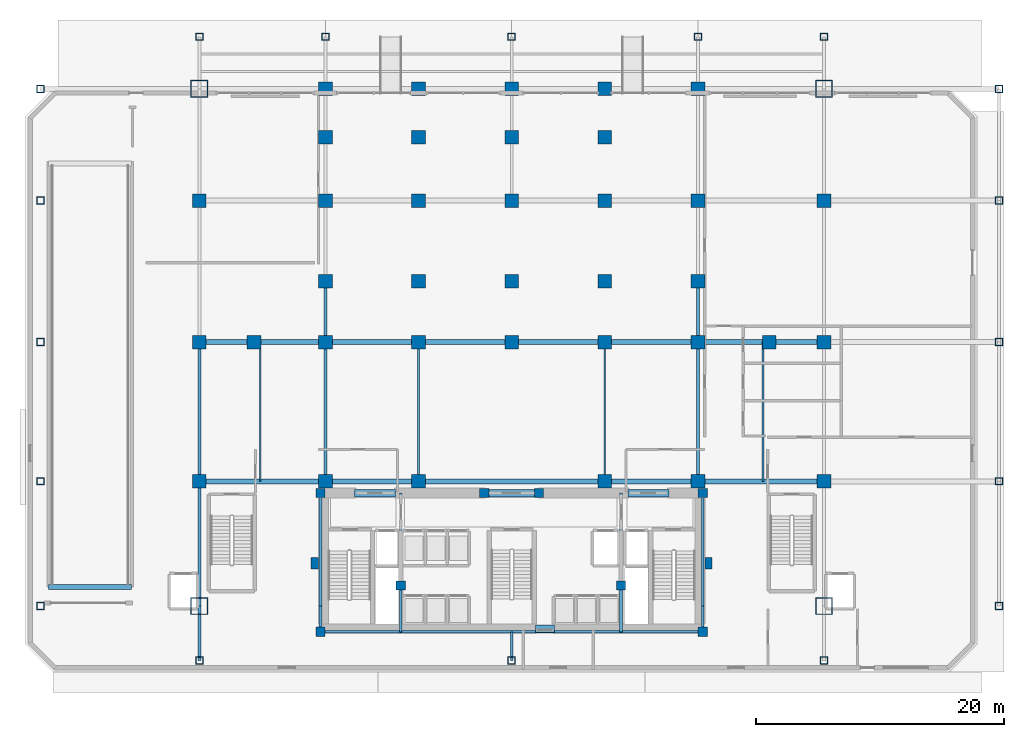
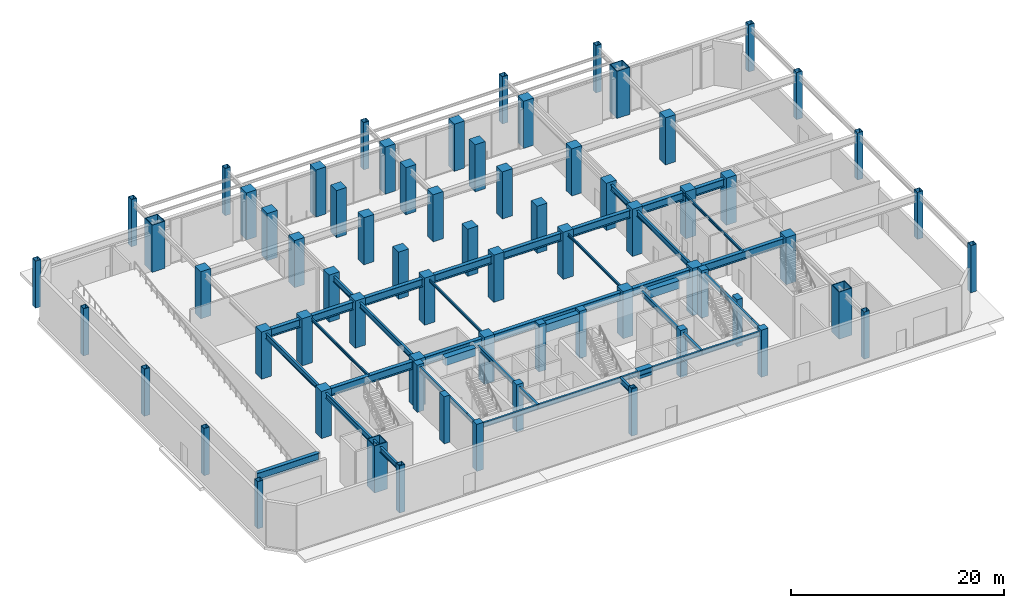
# One storey, part 1 of 23: 68 columns, 41 beams.
"""IFC4 building model written with IfcOpenShell, lengths in metres."""

import ifcopenshell
import ifcopenshell.guid

model = None  # the IFC model being written
_history = None  # IfcOwnerHistory: only IFC2X3 demands one
_inside = {}  # id of a spatial element -> (the spatial element, [elements in it])
_under = {}  # id of a project, library or spatial element -> (it, [spatial elements below it])
_declared = {}  # id of a project -> (the project, [libraries it declares])
_typed = {}  # id of a type object -> (the type object, [elements of that type])
_made_of = {}  # id of a material, layer set ... -> (it, [elements and type objects made of it])


def new_model(schema):
    """Start an empty IFC model of exactly this schema.

    Asked for "IFC4X3", IfcOpenShell would pick the latest addendum, in which some entities
    have other attributes; the version numbers below select the first issue.
    IFC2X3 requires an IfcOwnerHistory on every rooted entity: one is made here for all.
    """
    global model, _history
    if schema == "IFC4X3":
        model = ifcopenshell.file(schema_version=(4, 3, 0, 0))
    else:
        model = ifcopenshell.file(schema=schema)
    _inside.clear()
    _under.clear()
    _declared.clear()
    _typed.clear()
    _made_of.clear()
    _history = None
    if model.schema == "IFC2X3":
        org = make("IfcOrganization", Name="unknown")
        user = make(
            "IfcPersonAndOrganization",
            ThePerson=make("IfcPerson", FamilyName="unknown"),
            TheOrganization=org,
        )
        app = make(
            "IfcApplication",
            ApplicationDeveloper=org,
            Version="unknown",
            ApplicationFullName="unknown",
            ApplicationIdentifier="unknown",
        )
        _history = make(
            "IfcOwnerHistory",
            OwningUser=user,
            OwningApplication=app,
            ChangeAction="ADDED",
            CreationDate=0,
        )
    return model


def make(cls, **values):
    """One entity of the class cls with the attributes given. An attribute that is None is left unset."""
    return model.create_entity(
        cls, **{name: value for name, value in values.items() if value is not None}
    )


def rooted(cls, **values):
    """An entity with a GlobalId (a new one), such as an element, a storey or a relation."""
    return make(cls, GlobalId=ifcopenshell.guid.new(), OwnerHistory=_history, **values)


def si_unit(unit_type, name, prefix=None):
    """IfcSIUnit, for example si_unit("LENGTHUNIT", "METRE", prefix="MILLI")."""
    return make("IfcSIUnit", UnitType=unit_type, Prefix=prefix, Name=name)


def assignment(units):
    """IfcUnitAssignment: the units of a project."""
    return None if units is None else make("IfcUnitAssignment", Units=units)


def point(xyz):
    """IfcCartesianPoint."""
    return None if xyz is None else make("IfcCartesianPoint", Coordinates=xyz)


def direction(xyz):
    """IfcDirection."""
    return None if xyz is None else make("IfcDirection", DirectionRatios=xyz)


def frame(location, z_axis=None, x_axis=None):
    """IfcAxis2Placement3D, a coordinate frame: its origin and axes. An axis left out is left unset."""
    return make(
        "IfcAxis2Placement3D",
        Location=point(location),
        Axis=direction(z_axis),
        RefDirection=direction(x_axis),
    )


def frame_2d(location, x_axis=None):
    """IfcAxis2Placement2D, a coordinate frame in the plane: its origin and x axis."""
    return make(
        "IfcAxis2Placement2D", Location=point(location), RefDirection=direction(x_axis)
    )


def origin():
    """The frame at (0, 0, 0) with its axes left unset."""
    return frame((0.0, 0.0, 0.0))


def origin_2d():
    """The frame at (0, 0) in the plane with its x axis left unset."""
    return frame_2d((0.0, 0.0))


def place(relative_to, where):
    """IfcLocalPlacement: puts the frame where relative to a parent placement (None: the world)."""
    return make(
        "IfcLocalPlacement", PlacementRelTo=relative_to, RelativePlacement=where
    )


def context(
    kind, dimensions, precision=None, world=None, true_north=None, identifier=None
):
    """IfcGeometricRepresentationContext, for example the 3D "Model" context."""
    return make(
        "IfcGeometricRepresentationContext",
        ContextIdentifier=identifier,
        ContextType=kind,
        CoordinateSpaceDimension=dimensions,
        Precision=precision,
        WorldCoordinateSystem=world,
        TrueNorth=true_north,
    )


def subcontext(parent, identifier, kind, view, scale=None):
    """IfcGeometricRepresentationSubContext, for example "Body" below "Model"."""
    return make(
        "IfcGeometricRepresentationSubContext",
        ContextIdentifier=identifier,
        ContextType=kind,
        ParentContext=parent,
        TargetScale=scale,
        TargetView=view,
    )


def project(units=None, contexts=None):
    """IfcProject with its units and contexts."""
    return rooted(
        "IfcProject",
        Name="project",
        RepresentationContexts=contexts,
        UnitsInContext=assignment(units),
    )


def spatial(cls, under=None, at=None, **own):
    """A site, building, storey or space (cls), placed at a placement, below another one or the project."""
    s = rooted(cls, ObjectPlacement=at, **own)
    if under is not None:
        _under.setdefault(under.id(), (under, []))[1].append(s)
    return s


def profile(cls, at=None, kind="AREA", **sizes):
    """A parametric profile (cls). Its sizes go by their IFC names, for example OverallWidth=200.0."""
    return make(cls, ProfileType=kind, Position=at, **sizes)


def rectangle(**sizes):
    """IfcRectangleProfileDef."""
    return profile("IfcRectangleProfileDef", **sizes)


def hollow_rectangle(**sizes):
    """IfcRectangleHollowProfileDef."""
    return profile("IfcRectangleHollowProfileDef", **sizes)


def i_section(**sizes):
    """IfcIShapeProfileDef."""
    return profile("IfcIShapeProfileDef", **sizes)


def extrude(swept, where, along, depth):
    """IfcExtrudedAreaSolid: the profile swept, set in the frame where, extruded along a direction by depth."""
    return make(
        "IfcExtrudedAreaSolid",
        SweptArea=swept,
        Position=where,
        ExtrudedDirection=direction(along),
        Depth=depth,
    )


def shape(context_of_items, identifier, shape_type, items):
    """IfcShapeRepresentation: the items that make up one representation, for example the "Body"."""
    return make(
        "IfcShapeRepresentation",
        ContextOfItems=context_of_items,
        RepresentationIdentifier=identifier,
        RepresentationType=shape_type,
        Items=items,
    )


def material(Name=None, Category=None):
    """IfcMaterial."""
    return make("IfcMaterial", Name=Name, Category=Category)


def material_profile(
    of_material, cross_section, Name=None, Category=None, Priority=None
):
    """IfcMaterialProfile: a cross section and its material."""
    return make(
        "IfcMaterialProfile",
        Name=Name,
        Material=of_material,
        Profile=cross_section,
        Priority=Priority,
        Category=Category,
    )


def profile_set(profiles, Name=None, composite=None):
    """IfcMaterialProfileSet."""
    return make(
        "IfcMaterialProfileSet",
        Name=Name,
        MaterialProfiles=profiles,
        CompositeProfile=composite,
    )


def made_of(thing, what):
    """Note that an element or type object is made of a material, layer set ...; save() writes the relation."""
    if what is not None:
        _made_of.setdefault(what.id(), (what, []))[1].append(thing)
    return thing


def type_object(cls, material=None, **own):
    """A type object (cls), such as IfcWallType, which elements share."""
    return made_of(rooted(cls, **own), material)


def element(
    cls,
    number,
    at=None,
    inside=None,
    cuts=None,
    type_object=None,
    material=None,
    context=None,
    identifier="Body",
    shape_type=None,
    held_by="IfcProductDefinitionShape",
    body=None,
    shapes=None,
    **own,
):
    """One element of the class cls, such as IfcWall. Its Tag is "e" and its number.

    at: its placement. inside: the storey or other place that contains it. cuts: it is an
    opening in that element (IfcRelVoidsElement). A single representation is given by context,
    identifier, shape_type and body (its items); several are given by shapes. held_by: the class
    of the entity that holds the representations. save() writes the other relations.
    """
    e = rooted(cls, Tag="e%d" % number, ObjectPlacement=at, **own)
    if body is not None:
        shapes = [shape(context, identifier, shape_type, body)]
    if shapes is not None:
        e.Representation = make(held_by, Representations=shapes)
    if inside is not None:
        _inside.setdefault(inside.id(), (inside, []))[1].append(e)
    if cuts is not None:
        rooted(
            "IfcRelVoidsElement", RelatingBuildingElement=cuts, RelatedOpeningElement=e
        )
    if type_object is not None:
        _typed.setdefault(type_object.id(), (type_object, []))[1].append(e)
    return made_of(e, material)


def aggregate(whole, parts):
    """IfcRelAggregates: a whole, such as a stair, and the parts it consists of."""
    return rooted("IfcRelAggregates", RelatingObject=whole, RelatedObjects=parts)


def save(model, path):
    """Write the relations noted so far, then the file.

    IfcRelAggregates (storeys below a building ...), IfcRelContainedInSpatialStructure (elements
    in a storey), IfcRelDefinesByType, IfcRelAssociatesMaterial and IfcRelDeclares: one each for
    every whole, place, type object, material and project.
    """
    for whole, parts in _under.values():
        aggregate(whole, parts)
    for where, things in _inside.values():
        rooted(
            "IfcRelContainedInSpatialStructure",
            RelatedElements=things,
            RelatingStructure=where,
        )
    for kind, things in _typed.values():
        rooted("IfcRelDefinesByType", RelatedObjects=things, RelatingType=kind)
    for what, things in _made_of.values():
        rooted("IfcRelAssociatesMaterial", RelatedObjects=things, RelatingMaterial=what)
    for by, libraries in _declared.values():
        rooted("IfcRelDeclares", RelatingContext=by, RelatedDefinitions=libraries)
    model.write(path)


model = new_model("IFC4")

# Units and contexts
model_context = context("Model", 3, precision=1e-05, world=origin(), true_north=direction((0.0, 1.0)))
body_context = subcontext(model_context, "Body", "Model", "MODEL_VIEW")
ifc_project = project(units=[si_unit("LENGTHUNIT", "METRE"), si_unit("AREAUNIT", "SQUARE_METRE"), si_unit("VOLUMEUNIT", "CUBIC_METRE"), si_unit("PLANEANGLEUNIT", "RADIAN"), si_unit("MASSUNIT", "GRAM", prefix="KILO")], contexts=[model_context])

# Site, building, storey
site_placement = place(None, origin())
site = spatial("IfcSite", under=ifc_project, at=site_placement, CompositionType="ELEMENT")
building_placement = place(site_placement, origin())
building = spatial("IfcBuilding", under=site, at=building_placement, Name="Ventersveld Concourse Tower", CompositionType="ELEMENT")
storey_placement = place(building_placement, origin())
storey = spatial("IfcBuildingStorey", under=building, at=storey_placement, Name="L00", CompositionType="ELEMENT", Elevation=0.0)

# Columns
ifc_material_1 = material(Name="Structural steel S355ML", Category="steel")
ifc_material_profile_1 = material_profile(ifc_material_1, hollow_rectangle(XDim=0.60009765625, YDim=0.60009765625, WallThickness=0.0400390625, at=origin_2d()), Name="BOX 600x600x40")
ifc_profile_set_1 = profile_set([ifc_material_profile_1], Name="Structural steel S355ML")
column_type_1 = type_object("IfcColumnType", Name="COL-BOX600", PredefinedType="COLUMN", material=ifc_profile_set_1)
for number, where, z_axis, x_axis, name in (
    (1, (-9.199951171875, 2.35009765625, 0.0), (0.0, 0.0, 1.0), (1.0, 0.0, 0.0), "L00 Podium Perimeter Column 01"),
    (2, (-9.199951171875, 12.39990234375, 0.0), (0.0, 0.0, 1.0), (1.0, 0.0, 0.0), "L00 Podium Perimeter Column 02"),
    (3, (-9.199951171875, 23.60009765625, 0.0), (0.0, 0.0, 1.0), (1.0, 0.0, 0.0), "L00 Podium Perimeter Column 03"),
    (4, (-9.199951171875, 35.0, 0.0), (0.0, 0.0, 1.0), (1.0, 0.0, 0.0), "L00 Podium Perimeter Column 04"),
    (5, (-9.199951171875, 44.0, 0.0), (0.0, 0.0, 1.0), (1.0, 0.0, 0.0), "L00 Podium Perimeter Column 05"),
    (6, (68.0, 2.35009765625, 0.0), (0.0, 0.0, 1.0), (1.0, 0.0, 0.0), "L00 Podium Perimeter Column 06"),
    (7, (68.0, 12.39990234375, 0.0), (0.0, 0.0, 1.0), (1.0, 0.0, 0.0), "L00 Podium Perimeter Column 07"),
    (8, (68.0, 23.60009765625, 0.0), (0.0, 0.0, 1.0), (1.0, 0.0, 0.0), "L00 Podium Perimeter Column 08"),
    (9, (68.0, 35.0, 0.0), (0.0, 0.0, 1.0), (1.0, 0.0, 0.0), "L00 Podium Perimeter Column 09"),
    (10, (68.0, 44.0, 0.0), (0.0, 0.0, 1.0), (1.0, 0.0, 0.0), "L00 Podium Perimeter Column 10"),
    (11, (3.60009765625, 48.199951171875, 0.0), (0.0, 0.0, 1.0), (1.0, 0.0, 0.0), "L00 Podium Perimeter Column 11"),
    (12, (13.75, 48.199951171875, 0.0), (0.0, 0.0, 1.0), (1.0, 0.0, 0.0), "L00 Podium Perimeter Column 12"),
    (13, (28.75, 48.199951171875, 0.0), (0.0, 0.0, 1.0), (1.0, 0.0, 0.0), "L00 Podium Perimeter Column 13"),
    (14, (43.75, 48.199951171875, 0.0), (0.0, 0.0, 1.0), (1.0, 0.0, 0.0), "L00 Podium Perimeter Column 14"),
    (15, (53.89990234375, 48.199951171875, 0.0), (0.0, 0.0, 1.0), (1.0, 0.0, 0.0), "L00 Podium Perimeter Column 15"),
    (16, (3.60009765625, -2.050048828125, 0.0), (0.0, 0.0, 1.0), (1.0, 0.0, 0.0), "L00 Podium Perimeter Column 16"),
    (17, (28.75, -2.050048828125, 0.0), (0.0, 0.0, 1.0), (1.0, 0.0, 0.0), "L00 Podium Perimeter Column 17"),
    (18, (53.89990234375, -2.050048828125, 0.0), (0.0, 0.0, 1.0), (1.0, 0.0, 0.0), "L00 Podium Perimeter Column 18"),
):
    element("IfcColumn", number, at=place(storey_placement, frame(where, z_axis=z_axis, x_axis=x_axis)), inside=storey, type_object=column_type_1, Name=name, PredefinedType="COLUMN", context=body_context, shape_type="SweptSolid", body=[
        extrude(hollow_rectangle(XDim=0.60009765625, YDim=0.60009765625, WallThickness=0.0400390625, at=origin_2d()), origin(), (0.0, 0.0, 1.0), 5.39990234375),
    ])
ifc_material_2 = material(Name="Concrete C60/75", Category="concrete")
ifc_material_profile_2 = material_profile(ifc_material_2, rectangle(XDim=1.10009765625, YDim=1.10009765625, at=origin_2d()), Name="RC 1100x1100")
ifc_profile_set_2 = profile_set([ifc_material_profile_2], Name="Concrete C60/75")
column_type_2 = type_object("IfcColumnType", Name="COL-RC1100", PredefinedType="COLUMN", material=ifc_profile_set_2)
for number, where, z_axis, x_axis, name in (
    (19, (3.60009765625, 12.39990234375, 0.0), (0.0, 0.0, 1.0), (1.0, 0.0, 0.0), "L00 Station Grid Column G1B-C"),
    (20, (3.60009765625, 23.60009765625, 0.0), (0.0, 0.0, 1.0), (1.0, 0.0, 0.0), "L00 Station Grid Column G1B-D"),
    (21, (3.60009765625, 35.0, 0.0), (0.0, 0.0, 1.0), (1.0, 0.0, 0.0), "L00 Station Grid Column G1B-E"),
    (22, (13.75, 12.39990234375, 0.0), (0.0, 0.0, 1.0), (1.0, 0.0, 0.0), "L00 Station Grid Column G3-C"),
    (23, (13.75, 23.60009765625, 0.0), (0.0, 0.0, 1.0), (1.0, 0.0, 0.0), "L00 Station Grid Column G3-D"),
    (24, (13.75, 35.0, 0.0), (0.0, 0.0, 1.0), (1.0, 0.0, 0.0), "L00 Station Grid Column G3-E"),
    (25, (13.75, 44.0, 0.0), (0.0, 0.0, 1.0), (1.0, 0.0, 0.0), "L00 Station Grid Column G3-F"),
    (26, (28.75, 23.60009765625, 0.0), (0.0, 0.0, 1.0), (1.0, 0.0, 0.0), "L00 Station Grid Column G5-D"),
    (27, (28.75, 35.0, 0.0), (0.0, 0.0, 1.0), (1.0, 0.0, 0.0), "L00 Station Grid Column G5-E"),
    (28, (28.75, 44.0, 0.0), (0.0, 0.0, 1.0), (1.0, 0.0, 0.0), "L00 Station Grid Column G5-F"),
    (29, (43.75, 12.39990234375, 0.0), (0.0, 0.0, 1.0), (1.0, 0.0, 0.0), "L00 Station Grid Column G7-C"),
    (30, (43.75, 23.60009765625, 0.0), (0.0, 0.0, 1.0), (1.0, 0.0, 0.0), "L00 Station Grid Column G7-D"),
    (31, (43.75, 35.0, 0.0), (0.0, 0.0, 1.0), (1.0, 0.0, 0.0), "L00 Station Grid Column G7-E"),
    (32, (43.75, 44.0, 0.0), (0.0, 0.0, 1.0), (1.0, 0.0, 0.0), "L00 Station Grid Column G7-F"),
    (33, (53.89990234375, 12.39990234375, 0.0), (0.0, 0.0, 1.0), (1.0, 0.0, 0.0), "L00 Station Grid Column G8B-C"),
    (34, (53.89990234375, 23.60009765625, 0.0), (0.0, 0.0, 1.0), (1.0, 0.0, 0.0), "L00 Station Grid Column G8B-D"),
    (35, (53.89990234375, 35.0, 0.0), (0.0, 0.0, 1.0), (1.0, 0.0, 0.0), "L00 Station Grid Column G8B-E"),
    (36, (21.25, 12.39990234375, 0.0), (0.0, 0.0, 1.0), (1.0, 0.0, 0.0), "L00 Station Tower-Line Column G4C"),
    (37, (36.25, 12.39990234375, 0.0), (0.0, 0.0, 1.0), (1.0, 0.0, 0.0), "L00 Station Tower-Line Column G6C"),
    (38, (8.0, 23.60009765625, 0.0), (0.0, 0.0, 1.0), (1.0, 0.0, 0.0), "L00 Station Tower-Line Column G2D"),
    (39, (21.25, 23.60009765625, 0.0), (0.0, 0.0, 1.0), (1.0, 0.0, 0.0), "L00 Station Tower-Line Column G4D"),
    (40, (36.25, 23.60009765625, 0.0), (0.0, 0.0, 1.0), (1.0, 0.0, 0.0), "L00 Station Tower-Line Column G6D"),
    (41, (49.5, 23.60009765625, 0.0), (0.0, 0.0, 1.0), (1.0, 0.0, 0.0), "L00 Station Tower-Line Column G8AD"),
    (42, (13.75, 28.5, 0.0), (0.0, 0.0, 1.0), (1.0, 0.0, 0.0), "L00 Station Tower-Line Column G3DN"),
    (43, (21.25, 28.5, 0.0), (0.0, 0.0, 1.0), (1.0, 0.0, 0.0), "L00 Station Tower-Line Column G4DN"),
    (44, (28.75, 28.5, 0.0), (0.0, 0.0, 1.0), (1.0, 0.0, 0.0), "L00 Station Tower-Line Column G5DN"),
    (45, (36.25, 28.5, 0.0), (0.0, 0.0, 1.0), (1.0, 0.0, 0.0), "L00 Station Tower-Line Column G6DN"),
    (46, (43.75, 28.5, 0.0), (0.0, 0.0, 1.0), (1.0, 0.0, 0.0), "L00 Station Tower-Line Column G7DN"),
    (47, (21.25, 35.0, 0.0), (0.0, 0.0, 1.0), (1.0, 0.0, 0.0), "L00 Station Tower-Line Column G4E"),
    (48, (36.25, 35.0, 0.0), (0.0, 0.0, 1.0), (1.0, 0.0, 0.0), "L00 Station Tower-Line Column G6E"),
    (49, (13.75, 40.1201171875, 0.0), (0.0, 0.0, 1.0), (1.0, 0.0, 0.0), "L00 Station Tower-Line Column G3EM"),
    (50, (21.25, 40.1201171875, 0.0), (0.0, 0.0, 1.0), (1.0, 0.0, 0.0), "L00 Station Tower-Line Column G4EM"),
    (51, (28.75, 40.1201171875, 0.0), (0.0, 0.0, 1.0), (1.0, 0.0, 0.0), "L00 Station Tower-Line Column G5EM"),
    (52, (36.25, 40.1201171875, 0.0), (0.0, 0.0, 1.0), (1.0, 0.0, 0.0), "L00 Station Tower-Line Column G6EM"),
    (53, (21.25, 44.0, 0.0), (0.0, 0.0, 1.0), (1.0, 0.0, 0.0), "L00 Station Tower-Line Column G4F"),
    (54, (36.25, 44.0, 0.0), (0.0, 0.0, 1.0), (1.0, 0.0, 0.0), "L00 Station Tower-Line Column G6F"),
):
    element("IfcColumn", number, at=place(storey_placement, frame(where, z_axis=z_axis, x_axis=x_axis)), inside=storey, type_object=column_type_2, Name=name, PredefinedType="COLUMN", context=body_context, shape_type="SweptSolid", body=[
        extrude(rectangle(XDim=1.10009765625, YDim=1.10009765625, at=origin_2d()), origin(), (0.0, 0.0, 1.0), 5.39990234375),
    ])
ifc_material_3 = material(Name="Concrete C50/60", Category="concrete")
ifc_material_profile_3 = material_profile(ifc_material_3, rectangle(XDim=0.75, YDim=0.75, at=origin_2d()), Name="RC 750x750")
ifc_profile_set_3 = profile_set([ifc_material_profile_3], Name="Concrete C50/60")
column_type_3 = type_object("IfcColumnType", Name="COL-RC750", PredefinedType="COLUMN", material=ifc_profile_set_3)
for number, where, z_axis, x_axis, name in (
    (55, (13.35009765625, 0.280029296875, 0.0), (0.0, 0.0, 1.0), (1.0, 0.0, 0.0), "L00 Core Spine Column CC-SW"),
    (56, (44.14990234375, 0.280029296875, 0.0), (0.0, 0.0, 1.0), (1.0, 0.0, 0.0), "L00 Core Spine Column CC-SE"),
    (57, (13.35009765625, 11.449951171875, 0.0), (0.0, 0.0, 1.0), (1.0, 0.0, 0.0), "L00 Core Spine Column CC-NW"),
    (58, (44.14990234375, 11.449951171875, 0.0), (0.0, 0.0, 1.0), (1.0, 0.0, 0.0), "L00 Core Spine Column CC-NE"),
    (59, (19.820068359375, 4.0, 0.0), (0.0, 0.0, 1.0), (1.0, 0.0, 0.0), "L00 Core Spine Column CM-1"),
    (60, (37.550048828125, 4.0, 0.0), (0.0, 0.0, 1.0), (1.0, 0.0, 0.0), "L00 Core Spine Column CM-2"),
    (61, (26.550048828125, 11.449951171875, 0.0), (0.0, 0.0, 1.0), (1.0, 0.0, 0.0), "L00 Core Spine Column CM-3"),
    (62, (30.949951171875, 11.449951171875, 0.0), (0.0, 0.0, 1.0), (1.0, 0.0, 0.0), "L00 Core Spine Column CM-4"),
):
    element("IfcColumn", number, at=place(storey_placement, frame(where, z_axis=z_axis, x_axis=x_axis)), inside=storey, type_object=column_type_3, Name=name, PredefinedType="COLUMN", context=body_context, shape_type="SweptSolid", body=[
        extrude(rectangle(XDim=0.75, YDim=0.75, at=origin_2d()), origin(), (0.0, 0.0, 1.0), 5.39990234375),
    ])
ifc_material_4 = material(Name="Structural steel S460ML", Category="steel")
ifc_material_profile_4 = material_profile(ifc_material_4, hollow_rectangle(XDim=1.39990234375, YDim=1.39990234375, WallThickness=0.080078125, at=origin_2d()), Name="BOX 1400x1400x80")
ifc_profile_set_4 = profile_set([ifc_material_profile_4], Name="Structural steel S460ML")
column_type_4 = type_object("IfcColumnType", Name="MC-1400", PredefinedType="USERDEFINED", material=ifc_profile_set_4)
for number, where, z_axis, x_axis, name in (
    (63, (3.60009765625, 2.35009765625, 0.0), (0.0, 0.0, 1.0), (1.0, 0.0, 0.0), "L00 Corner Mega-Column MC-SW"),
    (64, (53.89990234375, 2.35009765625, 0.0), (0.0, 0.0, 1.0), (1.0, 0.0, 0.0), "L00 Corner Mega-Column MC-SE"),
    (65, (53.89990234375, 44.0, 0.0), (0.0, 0.0, 1.0), (1.0, 0.0, 0.0), "L00 Corner Mega-Column MC-NE"),
    (66, (3.60009765625, 44.0, 0.0), (0.0, 0.0, 1.0), (1.0, 0.0, 0.0), "L00 Corner Mega-Column MC-NW"),
):
    element("IfcColumn", number, at=place(storey_placement, frame(where, z_axis=z_axis, x_axis=x_axis)), inside=storey, type_object=column_type_4, Name=name, ObjectType="MEGA_COLUMN", PredefinedType="USERDEFINED", context=body_context, shape_type="SweptSolid", body=[
        extrude(hollow_rectangle(XDim=1.39990234375, YDim=1.39990234375, WallThickness=0.080078125, at=origin_2d()), origin(), (0.0, 0.0, 1.0), 5.39990234375),
    ])
ifc_material_profile_5 = material_profile(ifc_material_2, rectangle(XDim=0.60009765625, YDim=0.89990234375, at=origin_2d()), Name="RC 600x900")
ifc_profile_set_5 = profile_set([ifc_material_profile_5], Name="Concrete C60/75")
column_type_5 = type_object("IfcColumnType", Name="PIL-RC600x900", PredefinedType="PILASTER", material=ifc_profile_set_5)
for number, where, z_axis, x_axis, name in (
    (67, (12.89990234375, 5.800048828125, 0.0), (0.0, 0.0, 1.0), (1.0, 0.0, 0.0), "L00 Core Engaged Pilaster PIL-W"),
    (68, (44.60009765625, 5.800048828125, 0.0), (0.0, 0.0, 1.0), (1.0, 0.0, 0.0), "L00 Core Engaged Pilaster PIL-E"),
):
    element("IfcColumn", number, at=place(storey_placement, frame(where, z_axis=z_axis, x_axis=x_axis)), inside=storey, type_object=column_type_5, Name=name, PredefinedType="PILASTER", context=body_context, shape_type="SweptSolid", body=[
        extrude(rectangle(XDim=0.60009765625, YDim=0.89990234375, at=origin_2d()), origin(), (0.0, 0.0, 1.0), 5.39990234375),
    ])

# Beams
ifc_material_profile_6 = material_profile(ifc_material_2, rectangle(XDim=0.60009765625, YDim=0.89990234375, at=origin_2d()), Name="RC 600x900")
ifc_profile_set_6 = profile_set([ifc_material_profile_6], Name="Concrete C60/75")
beam_type_1 = type_object("IfcBeamType", Name="CB-RC600x900L", PredefinedType="LINTEL", material=ifc_profile_set_6)
beam_1_placement = place(storey_placement, frame((30.64990234375, 0.52001953125, 4.64990234375), z_axis=(1.0, 0.0, 0.0), x_axis=(0.0, 1.0, 0.0)))
element("IfcBeam", 69, at=beam_1_placement, inside=storey, type_object=beam_type_1, Name="L00 Core South Exit Portal Lintel Beam", PredefinedType="LINTEL", context=body_context, shape_type="SweptSolid", body=[
    extrude(rectangle(XDim=0.60009765625, YDim=0.89990234375, at=origin_2d()), origin(), (0.0, 0.0, 1.0), 1.550048828125),
])
beam_2_placement = place(storey_placement, frame((16.10009765625, 11.449951171875, 4.64990234375), z_axis=(1.0, 0.0, 0.0), x_axis=(0.0, 1.0, 0.0)))
element("IfcBeam", 70, at=beam_2_placement, inside=storey, type_object=beam_type_1, Name="L00 Core Coupling Lintel Beam 1", PredefinedType="LINTEL", context=body_context, shape_type="SweptSolid", body=[
    extrude(rectangle(XDim=0.60009765625, YDim=0.89990234375, at=origin_2d()), origin(), (0.0, 0.0, 1.0), 3.2998046875),
])
beam_3_placement = place(storey_placement, frame((26.5, 11.449951171875, 4.64990234375), z_axis=(1.0, 0.0, 0.0), x_axis=(0.0, 1.0, 0.0)))
element("IfcBeam", 71, at=beam_3_placement, inside=storey, type_object=beam_type_1, Name="L00 Core Coupling Lintel Beam 2", PredefinedType="LINTEL", context=body_context, shape_type="SweptSolid", body=[
    extrude(rectangle(XDim=0.60009765625, YDim=0.89990234375, at=origin_2d()), origin(), (0.0, 0.0, 1.0), 4.5),
])
beam_4_placement = place(storey_placement, frame((38.10009765625, 11.449951171875, 4.64990234375), z_axis=(1.0, 0.0, 0.0), x_axis=(0.0, 1.0, 0.0)))
element("IfcBeam", 72, at=beam_4_placement, inside=storey, type_object=beam_type_1, Name="L00 Core Coupling Lintel Beam 3", PredefinedType="LINTEL", context=body_context, shape_type="SweptSolid", body=[
    extrude(rectangle(XDim=0.60009765625, YDim=0.89990234375, at=origin_2d()), origin(), (0.0, 0.0, 1.0), 3.2998046875),
])
ifc_material_5 = material(Name="Structural steel S355J2", Category="steel")
ifc_material_profile_7 = material_profile(ifc_material_5, i_section(OverallWidth=0.39990234375, OverallDepth=0.89990234375, WebThickness=0.02197265625, FlangeThickness=0.035888671875, at=origin_2d()), Name="PG 900x400x36")
ifc_profile_set_7 = profile_set([ifc_material_profile_7], Name="Structural steel S355J2")
beam_type_2 = type_object("IfcBeamType", Name="GRD-PG900", PredefinedType="USERDEFINED", material=ifc_profile_set_7)
beam_5_placement = place(storey_placement, frame((3.60009765625, 12.39990234375, 4.64990234375), z_axis=(1.0, 0.0, 0.0), x_axis=(0.0, 1.0, 0.0)))
element("IfcBeam", 73, at=beam_5_placement, inside=storey, type_object=beam_type_2, Name="L00 Podium Primary Girder Y=12.4m", ObjectType="GIRDER", PredefinedType="USERDEFINED", context=body_context, shape_type="SweptSolid", body=[
    extrude(i_section(OverallWidth=0.39990234375, OverallDepth=0.89990234375, WebThickness=0.02197265625, FlangeThickness=0.035888671875, at=origin_2d()), origin(), (0.0, 0.0, 1.0), 10.14990234375),
])
beam_6_placement = place(storey_placement, frame((13.75, 12.39990234375, 4.64990234375), z_axis=(1.0, 0.0, 0.0), x_axis=(0.0, 1.0, 0.0)))
element("IfcBeam", 74, at=beam_6_placement, inside=storey, type_object=beam_type_2, Name="L00 Podium Primary Girder Y=12.4m", ObjectType="GIRDER", PredefinedType="USERDEFINED", context=body_context, shape_type="SweptSolid", body=[
    extrude(i_section(OverallWidth=0.39990234375, OverallDepth=0.89990234375, WebThickness=0.02197265625, FlangeThickness=0.035888671875, at=origin_2d()), origin(), (0.0, 0.0, 1.0), 7.5),
])
beam_7_placement = place(storey_placement, frame((21.25, 12.39990234375, 4.64990234375), z_axis=(1.0, 0.0, 0.0), x_axis=(0.0, 1.0, 0.0)))
element("IfcBeam", 75, at=beam_7_placement, inside=storey, type_object=beam_type_2, Name="L00 Podium Primary Girder Y=12.4m", ObjectType="GIRDER", PredefinedType="USERDEFINED", context=body_context, shape_type="SweptSolid", body=[
    extrude(i_section(OverallWidth=0.39990234375, OverallDepth=0.89990234375, WebThickness=0.02197265625, FlangeThickness=0.035888671875, at=origin_2d()), origin(), (0.0, 0.0, 1.0), 15.0),
])
beam_8_placement = place(storey_placement, frame((36.25, 12.39990234375, 4.64990234375), z_axis=(1.0, 0.0, 0.0), x_axis=(0.0, 1.0, 0.0)))
element("IfcBeam", 76, at=beam_8_placement, inside=storey, type_object=beam_type_2, Name="L00 Podium Primary Girder Y=12.4m", ObjectType="GIRDER", PredefinedType="USERDEFINED", context=body_context, shape_type="SweptSolid", body=[
    extrude(i_section(OverallWidth=0.39990234375, OverallDepth=0.89990234375, WebThickness=0.02197265625, FlangeThickness=0.035888671875, at=origin_2d()), origin(), (0.0, 0.0, 1.0), 7.5),
])
beam_9_placement = place(storey_placement, frame((43.75, 12.39990234375, 4.64990234375), z_axis=(1.0, 0.0, 0.0), x_axis=(0.0, 1.0, 0.0)))
element("IfcBeam", 77, at=beam_9_placement, inside=storey, type_object=beam_type_2, Name="L00 Podium Primary Girder Y=12.4m", ObjectType="GIRDER", PredefinedType="USERDEFINED", context=body_context, shape_type="SweptSolid", body=[
    extrude(i_section(OverallWidth=0.39990234375, OverallDepth=0.89990234375, WebThickness=0.02197265625, FlangeThickness=0.035888671875, at=origin_2d()), origin(), (0.0, 0.0, 1.0), 10.14990234375),
])
beam_10_placement = place(storey_placement, frame((3.60009765625, 23.60009765625, 4.64990234375), z_axis=(1.0, 0.0, 0.0), x_axis=(0.0, 1.0, 0.0)))
element("IfcBeam", 78, at=beam_10_placement, inside=storey, type_object=beam_type_2, Name="L00 Podium Primary Girder Y=23.6m", ObjectType="GIRDER", PredefinedType="USERDEFINED", context=body_context, shape_type="SweptSolid", body=[
    extrude(i_section(OverallWidth=0.39990234375, OverallDepth=0.89990234375, WebThickness=0.02197265625, FlangeThickness=0.035888671875, at=origin_2d()), origin(), (0.0, 0.0, 1.0), 4.39990234375),
])
beam_11_placement = place(storey_placement, frame((8.0, 23.60009765625, 4.64990234375), z_axis=(1.0, 0.0, 0.0), x_axis=(0.0, 1.0, 0.0)))
element("IfcBeam", 79, at=beam_11_placement, inside=storey, type_object=beam_type_2, Name="L00 Podium Primary Girder Y=23.6m", ObjectType="GIRDER", PredefinedType="USERDEFINED", context=body_context, shape_type="SweptSolid", body=[
    extrude(i_section(OverallWidth=0.39990234375, OverallDepth=0.89990234375, WebThickness=0.02197265625, FlangeThickness=0.035888671875, at=origin_2d()), origin(), (0.0, 0.0, 1.0), 5.75),
])
for number, where, z_axis, x_axis, name in (
    (80, (13.75, 23.60009765625, 4.64990234375), (1.0, 0.0, 0.0), (0.0, 1.0, 0.0), "L00 Podium Primary Girder Y=23.6m"),
    (81, (21.25, 23.60009765625, 4.64990234375), (1.0, 0.0, 0.0), (0.0, 1.0, 0.0), "L00 Podium Primary Girder Y=23.6m"),
    (82, (28.75, 23.60009765625, 4.64990234375), (1.0, 0.0, 0.0), (0.0, 1.0, 0.0), "L00 Podium Primary Girder Y=23.6m"),
    (83, (36.25, 23.60009765625, 4.64990234375), (1.0, 0.0, 0.0), (0.0, 1.0, 0.0), "L00 Podium Primary Girder Y=23.6m"),
):
    element("IfcBeam", number, at=place(storey_placement, frame(where, z_axis=z_axis, x_axis=x_axis)), inside=storey, type_object=beam_type_2, Name=name, ObjectType="GIRDER", PredefinedType="USERDEFINED", context=body_context, shape_type="SweptSolid", body=[
        extrude(i_section(OverallWidth=0.39990234375, OverallDepth=0.89990234375, WebThickness=0.02197265625, FlangeThickness=0.035888671875, at=origin_2d()), origin(), (0.0, 0.0, 1.0), 7.5),
    ])
beam_12_placement = place(storey_placement, frame((43.75, 23.60009765625, 4.64990234375), z_axis=(1.0, 0.0, 0.0), x_axis=(0.0, 1.0, 0.0)))
element("IfcBeam", 84, at=beam_12_placement, inside=storey, type_object=beam_type_2, Name="L00 Podium Primary Girder Y=23.6m", ObjectType="GIRDER", PredefinedType="USERDEFINED", context=body_context, shape_type="SweptSolid", body=[
    extrude(i_section(OverallWidth=0.39990234375, OverallDepth=0.89990234375, WebThickness=0.02197265625, FlangeThickness=0.035888671875, at=origin_2d()), origin(), (0.0, 0.0, 1.0), 5.75),
])
beam_13_placement = place(storey_placement, frame((49.5, 23.60009765625, 4.64990234375), z_axis=(1.0, 0.0, 0.0), x_axis=(0.0, 1.0, 0.0)))
element("IfcBeam", 85, at=beam_13_placement, inside=storey, type_object=beam_type_2, Name="L00 Podium Primary Girder Y=23.6m", ObjectType="GIRDER", PredefinedType="USERDEFINED", context=body_context, shape_type="SweptSolid", body=[
    extrude(i_section(OverallWidth=0.39990234375, OverallDepth=0.89990234375, WebThickness=0.02197265625, FlangeThickness=0.035888671875, at=origin_2d()), origin(), (0.0, 0.0, 1.0), 4.39990234375),
])
beam_14_placement = place(storey_placement, frame((-8.5400390625, 3.8798828125, 4.60009765625), z_axis=(1.0, 0.0, 0.0), x_axis=(0.0, 1.0, 0.0)))
element("IfcBeam", 86, at=beam_14_placement, inside=storey, type_object=beam_type_2, Name="L01 Vehicle Ramp Toe Header Girder", ObjectType="GIRDER", PredefinedType="USERDEFINED", context=body_context, shape_type="SweptSolid", body=[
    extrude(i_section(OverallWidth=0.39990234375, OverallDepth=0.89990234375, WebThickness=0.02197265625, FlangeThickness=0.035888671875, at=origin_2d()), origin(), (0.0, 0.0, 1.0), 6.679931640625),
])
ifc_material_profile_8 = material_profile(ifc_material_5, i_section(OverallWidth=0.2119140625, OverallDepth=0.54443359375, WebThickness=0.0126953125, FlangeThickness=0.021240234375, FilletRadius=0.0126953125, at=origin_2d()), Name="UB 533x210x122")
ifc_profile_set_8 = profile_set([ifc_material_profile_8], Name="Structural steel S355J2")
beam_type_3 = type_object("IfcBeamType", Name="GRD-UB533H", PredefinedType="T_BEAM", material=ifc_profile_set_8)
beam_15_placement = place(storey_placement, frame((13.35009765625, 0.280029296875, 4.82763671875), z_axis=(0.0, 1.0, 0.0), x_axis=(-1.0, 0.0, 0.0)))
element("IfcBeam", 87, at=beam_15_placement, inside=storey, type_object=beam_type_3, Name="L00 Core West Tie Beam S", PredefinedType="T_BEAM", context=body_context, shape_type="SweptSolid", body=[
    extrude(i_section(OverallWidth=0.2119140625, OverallDepth=0.54443359375, WebThickness=0.0126953125, FlangeThickness=0.021240234375, FilletRadius=0.0126953125, at=origin_2d()), origin(), (0.0, 0.0, 1.0), 2.070068359375),
])
beam_16_placement = place(storey_placement, frame((13.35009765625, 2.35009765625, 4.82763671875), z_axis=(0.0, 1.0, 0.0), x_axis=(-1.0, 0.0, 0.0)))
element("IfcBeam", 88, at=beam_16_placement, inside=storey, type_object=beam_type_3, Name="L00 Core West Tie Beam N", PredefinedType="T_BEAM", context=body_context, shape_type="SweptSolid", body=[
    extrude(i_section(OverallWidth=0.2119140625, OverallDepth=0.54443359375, WebThickness=0.0126953125, FlangeThickness=0.021240234375, FilletRadius=0.0126953125, at=origin_2d()), origin(), (0.0, 0.0, 1.0), 9.099853515625),
])
beam_17_placement = place(storey_placement, frame((44.14990234375, 0.280029296875, 4.82763671875), z_axis=(0.0, 1.0, 0.0), x_axis=(-1.0, 0.0, 0.0)))
element("IfcBeam", 89, at=beam_17_placement, inside=storey, type_object=beam_type_3, Name="L00 Core East Tie Beam S", PredefinedType="T_BEAM", context=body_context, shape_type="SweptSolid", body=[
    extrude(i_section(OverallWidth=0.2119140625, OverallDepth=0.54443359375, WebThickness=0.0126953125, FlangeThickness=0.021240234375, FilletRadius=0.0126953125, at=origin_2d()), origin(), (0.0, 0.0, 1.0), 2.070068359375),
])
beam_18_placement = place(storey_placement, frame((44.14990234375, 2.35009765625, 4.82763671875), z_axis=(0.0, 1.0, 0.0), x_axis=(-1.0, 0.0, 0.0)))
element("IfcBeam", 90, at=beam_18_placement, inside=storey, type_object=beam_type_3, Name="L00 Core East Tie Beam N", PredefinedType="T_BEAM", context=body_context, shape_type="SweptSolid", body=[
    extrude(i_section(OverallWidth=0.2119140625, OverallDepth=0.54443359375, WebThickness=0.0126953125, FlangeThickness=0.021240234375, FilletRadius=0.0126953125, at=origin_2d()), origin(), (0.0, 0.0, 1.0), 9.099853515625),
])
beam_19_placement = place(storey_placement, frame((13.35009765625, 0.280029296875, 4.82763671875), z_axis=(1.0, 0.0, 0.0), x_axis=(0.0, 1.0, 0.0)))
element("IfcBeam", 91, at=beam_19_placement, inside=storey, type_object=beam_type_3, Name="L00 Core South Tie Beam W", PredefinedType="T_BEAM", context=body_context, shape_type="SweptSolid", body=[
    extrude(i_section(OverallWidth=0.2119140625, OverallDepth=0.54443359375, WebThickness=0.0126953125, FlangeThickness=0.021240234375, FilletRadius=0.0126953125, at=origin_2d()), origin(), (0.0, 0.0, 1.0), 6.469970703125),
])
beam_20_placement = place(storey_placement, frame((19.820068359375, 0.280029296875, 4.82763671875), z_axis=(1.0, 0.0, 0.0), x_axis=(0.0, 1.0, 0.0)))
element("IfcBeam", 92, at=beam_20_placement, inside=storey, type_object=beam_type_3, Name="L00 Core South Tie Beam C", PredefinedType="T_BEAM", context=body_context, shape_type="SweptSolid", body=[
    extrude(i_section(OverallWidth=0.2119140625, OverallDepth=0.54443359375, WebThickness=0.0126953125, FlangeThickness=0.021240234375, FilletRadius=0.0126953125, at=origin_2d()), origin(), (0.0, 0.0, 1.0), 17.72998046875),
])
beam_21_placement = place(storey_placement, frame((37.550048828125, 0.280029296875, 4.82763671875), z_axis=(1.0, 0.0, 0.0), x_axis=(0.0, 1.0, 0.0)))
element("IfcBeam", 93, at=beam_21_placement, inside=storey, type_object=beam_type_3, Name="L00 Core South Tie Beam E", PredefinedType="T_BEAM", context=body_context, shape_type="SweptSolid", body=[
    extrude(i_section(OverallWidth=0.2119140625, OverallDepth=0.54443359375, WebThickness=0.0126953125, FlangeThickness=0.021240234375, FilletRadius=0.0126953125, at=origin_2d()), origin(), (0.0, 0.0, 1.0), 6.599853515625),
])
beam_22_placement = place(storey_placement, frame((19.820068359375, 0.280029296875, 4.82763671875), z_axis=(0.0, 1.0, 0.0), x_axis=(-1.0, 0.0, 0.0)))
element("IfcBeam", 94, at=beam_22_placement, inside=storey, type_object=beam_type_3, Name="L00 Core Spine N-S Tie Beam W1", PredefinedType="T_BEAM", context=body_context, shape_type="SweptSolid", body=[
    extrude(i_section(OverallWidth=0.2119140625, OverallDepth=0.54443359375, WebThickness=0.0126953125, FlangeThickness=0.021240234375, FilletRadius=0.0126953125, at=origin_2d()), origin(), (0.0, 0.0, 1.0), 3.719970703125),
])
beam_23_placement = place(storey_placement, frame((19.820068359375, 4.0, 4.82763671875), z_axis=(0.0, 1.0, 0.0), x_axis=(-1.0, 0.0, 0.0)))
element("IfcBeam", 95, at=beam_23_placement, inside=storey, type_object=beam_type_3, Name="L00 Core Spine N-S Tie Beam W2", PredefinedType="T_BEAM", context=body_context, shape_type="SweptSolid", body=[
    extrude(i_section(OverallWidth=0.2119140625, OverallDepth=0.54443359375, WebThickness=0.0126953125, FlangeThickness=0.021240234375, FilletRadius=0.0126953125, at=origin_2d()), origin(), (0.0, 0.0, 1.0), 7.449951171875),
])
beam_24_placement = place(storey_placement, frame((37.550048828125, 0.280029296875, 4.82763671875), z_axis=(0.0, 1.0, 0.0), x_axis=(-1.0, 0.0, 0.0)))
element("IfcBeam", 96, at=beam_24_placement, inside=storey, type_object=beam_type_3, Name="L00 Core Spine N-S Tie Beam E1", PredefinedType="T_BEAM", context=body_context, shape_type="SweptSolid", body=[
    extrude(i_section(OverallWidth=0.2119140625, OverallDepth=0.54443359375, WebThickness=0.0126953125, FlangeThickness=0.021240234375, FilletRadius=0.0126953125, at=origin_2d()), origin(), (0.0, 0.0, 1.0), 3.719970703125),
])
beam_25_placement = place(storey_placement, frame((37.550048828125, 4.0, 4.82763671875), z_axis=(0.0, 1.0, 0.0), x_axis=(-1.0, 0.0, 0.0)))
element("IfcBeam", 97, at=beam_25_placement, inside=storey, type_object=beam_type_3, Name="L00 Core Spine N-S Tie Beam E2", PredefinedType="T_BEAM", context=body_context, shape_type="SweptSolid", body=[
    extrude(i_section(OverallWidth=0.2119140625, OverallDepth=0.54443359375, WebThickness=0.0126953125, FlangeThickness=0.021240234375, FilletRadius=0.0126953125, at=origin_2d()), origin(), (0.0, 0.0, 1.0), 7.449951171875),
])
ifc_material_profile_9 = material_profile(ifc_material_5, i_section(OverallWidth=0.230224609375, OverallDepth=0.6171875, WebThickness=0.01318359375, FlangeThickness=0.022216796875, FilletRadius=0.0126953125, at=origin_2d()), Name="UB 610x229x140")
ifc_profile_set_9 = profile_set([ifc_material_profile_9], Name="Structural steel S355J2")
beam_type_4 = type_object("IfcBeamType", Name="GRD-UB610", PredefinedType="USERDEFINED", material=ifc_profile_set_9)
beam_26_placement = place(storey_placement, frame((3.60009765625, -2.050048828125, 4.79150390625), z_axis=(0.0, 1.0, 0.0), x_axis=(-1.0, 0.0, 0.0)))
element("IfcBeam", 98, at=beam_26_placement, inside=storey, type_object=beam_type_4, Name="L00 Podium N-S Girder X=3.60m", ObjectType="GIRDER", PredefinedType="USERDEFINED", context=body_context, shape_type="SweptSolid", body=[
    extrude(i_section(OverallWidth=0.230224609375, OverallDepth=0.6171875, WebThickness=0.01318359375, FlangeThickness=0.022216796875, FilletRadius=0.0126953125, at=origin_2d()), origin(), (0.0, 0.0, 1.0), 4.400146484375),
])
beam_27_placement = place(storey_placement, frame((3.60009765625, 2.35009765625, 4.79150390625), z_axis=(0.0, 1.0, 0.0), x_axis=(-1.0, 0.0, 0.0)))
element("IfcBeam", 99, at=beam_27_placement, inside=storey, type_object=beam_type_4, Name="L00 Podium N-S Girder X=3.60m", ObjectType="GIRDER", PredefinedType="USERDEFINED", context=body_context, shape_type="SweptSolid", body=[
    extrude(i_section(OverallWidth=0.230224609375, OverallDepth=0.6171875, WebThickness=0.01318359375, FlangeThickness=0.022216796875, FilletRadius=0.0126953125, at=origin_2d()), origin(), (0.0, 0.0, 1.0), 10.0498046875),
])
for number, where, z_axis, x_axis, name in (
    (100, (3.60009765625, 12.39990234375, 4.79150390625), (0.0, 1.0, 0.0), (-1.0, 0.0, 0.0), "L00 Podium N-S Girder X=3.60m"),
    (101, (13.75, 12.39990234375, 4.79150390625), (0.0, 1.0, 0.0), (-1.0, 0.0, 0.0), "L00 Podium N-S Girder X=13.75m"),
):
    element("IfcBeam", number, at=place(storey_placement, frame(where, z_axis=z_axis, x_axis=x_axis)), inside=storey, type_object=beam_type_4, Name=name, ObjectType="GIRDER", PredefinedType="USERDEFINED", context=body_context, shape_type="SweptSolid", body=[
        extrude(i_section(OverallWidth=0.230224609375, OverallDepth=0.6171875, WebThickness=0.01318359375, FlangeThickness=0.022216796875, FilletRadius=0.0126953125, at=origin_2d()), origin(), (0.0, 0.0, 1.0), 11.2001953125),
    ])
beam_28_placement = place(storey_placement, frame((13.75, 23.60009765625, 4.79150390625), z_axis=(0.0, 1.0, 0.0), x_axis=(-1.0, 0.0, 0.0)))
element("IfcBeam", 102, at=beam_28_placement, inside=storey, type_object=beam_type_4, Name="L00 Podium N-S Girder X=13.75m", ObjectType="GIRDER", PredefinedType="USERDEFINED", context=body_context, shape_type="SweptSolid", body=[
    extrude(i_section(OverallWidth=0.230224609375, OverallDepth=0.6171875, WebThickness=0.01318359375, FlangeThickness=0.022216796875, FilletRadius=0.0126953125, at=origin_2d()), origin(), (0.0, 0.0, 1.0), 4.89990234375),
])
beam_29_placement = place(storey_placement, frame((28.75, -2.050048828125, 4.79150390625), z_axis=(0.0, 1.0, 0.0), x_axis=(-1.0, 0.0, 0.0)))
element("IfcBeam", 103, at=beam_29_placement, inside=storey, type_object=beam_type_4, Name="L00 Podium N-S Girder X=28.75m", ObjectType="GIRDER", PredefinedType="USERDEFINED", context=body_context, shape_type="SweptSolid", body=[
    extrude(i_section(OverallWidth=0.230224609375, OverallDepth=0.6171875, WebThickness=0.01318359375, FlangeThickness=0.022216796875, FilletRadius=0.0126953125, at=origin_2d()), origin(), (0.0, 0.0, 1.0), 2.330078125),
])
beam_30_placement = place(storey_placement, frame((43.75, 12.39990234375, 4.79150390625), z_axis=(0.0, 1.0, 0.0), x_axis=(-1.0, 0.0, 0.0)))
element("IfcBeam", 104, at=beam_30_placement, inside=storey, type_object=beam_type_4, Name="L00 Podium N-S Girder X=43.75m", ObjectType="GIRDER", PredefinedType="USERDEFINED", context=body_context, shape_type="SweptSolid", body=[
    extrude(i_section(OverallWidth=0.230224609375, OverallDepth=0.6171875, WebThickness=0.01318359375, FlangeThickness=0.022216796875, FilletRadius=0.0126953125, at=origin_2d()), origin(), (0.0, 0.0, 1.0), 11.2001953125),
])
beam_31_placement = place(storey_placement, frame((43.75, 23.60009765625, 4.79150390625), z_axis=(0.0, 1.0, 0.0), x_axis=(-1.0, 0.0, 0.0)))
element("IfcBeam", 105, at=beam_31_placement, inside=storey, type_object=beam_type_4, Name="L00 Podium N-S Girder X=43.75m", ObjectType="GIRDER", PredefinedType="USERDEFINED", context=body_context, shape_type="SweptSolid", body=[
    extrude(i_section(OverallWidth=0.230224609375, OverallDepth=0.6171875, WebThickness=0.01318359375, FlangeThickness=0.022216796875, FilletRadius=0.0126953125, at=origin_2d()), origin(), (0.0, 0.0, 1.0), 4.89990234375),
])
ifc_material_profile_10 = material_profile(ifc_material_5, i_section(OverallWidth=0.14990234375, OverallDepth=0.300048828125, WebThickness=0.007080078125, FlangeThickness=0.0107421875, FilletRadius=0.014892578125, at=origin_2d()), Name="IPE 300")
ifc_profile_set_10 = profile_set([ifc_material_profile_10], Name="Structural steel S355J2")
beam_type_5 = type_object("IfcBeamType", Name="JST-IPE300", PredefinedType="JOIST", material=ifc_profile_set_10)
for number, where, z_axis, x_axis, name in (
    (106, (8.5, 12.39990234375, 4.949951171875), (0.0, 1.0, 0.0), (-1.0, 0.0, 0.0), "L00 Podium Floor Joist X=8.50m"),
    (107, (21.25, 12.39990234375, 4.949951171875), (0.0, 1.0, 0.0), (-1.0, 0.0, 0.0), "L00 Podium Floor Joist X=21.25m"),
    (108, (36.25, 12.39990234375, 4.949951171875), (0.0, 1.0, 0.0), (-1.0, 0.0, 0.0), "L00 Podium Floor Joist X=36.25m"),
    (109, (49.0, 12.39990234375, 4.949951171875), (0.0, 1.0, 0.0), (-1.0, 0.0, 0.0), "L00 Podium Floor Joist X=49.00m"),
):
    element("IfcBeam", number, at=place(storey_placement, frame(where, z_axis=z_axis, x_axis=x_axis)), inside=storey, type_object=beam_type_5, Name=name, PredefinedType="JOIST", context=body_context, shape_type="SweptSolid", body=[
        extrude(i_section(OverallWidth=0.14990234375, OverallDepth=0.300048828125, WebThickness=0.007080078125, FlangeThickness=0.0107421875, FilletRadius=0.014892578125, at=origin_2d()), origin(), (0.0, 0.0, 1.0), 11.2001953125),
    ])

save(model, "model.ifc")
